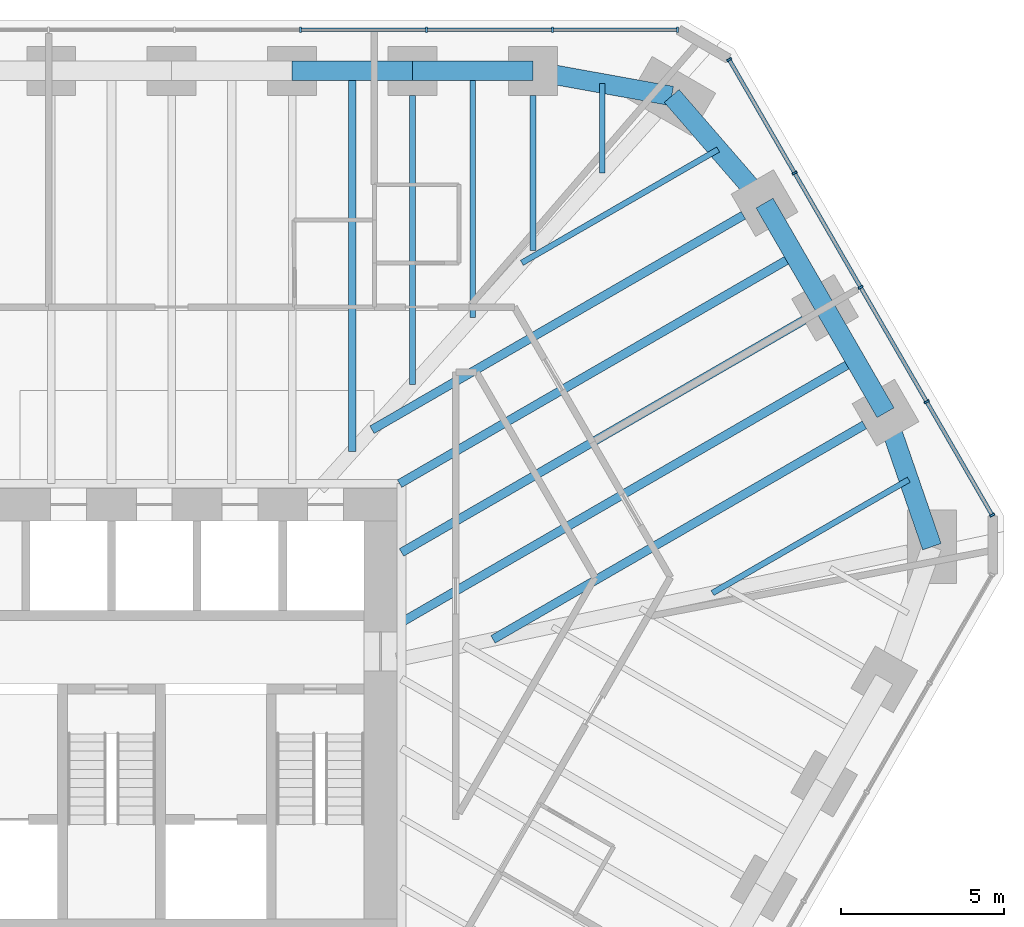
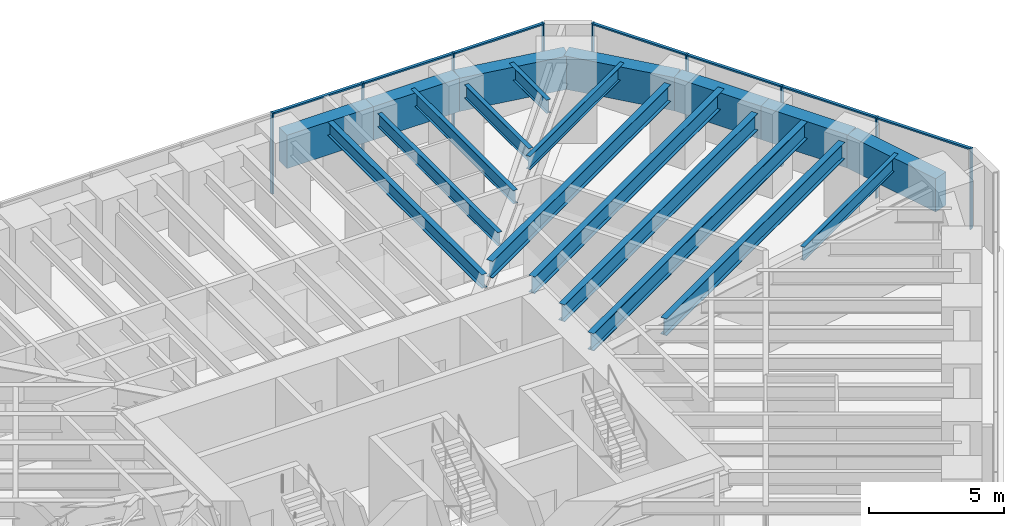
# One storey, part 9 of 16: 19 beams, 16 members, 2 elements without a shape of their own.
"""IFC4 building model written with IfcOpenShell, lengths in metres."""

from ifc_helpers import new_model, si_unit, direction, frame, origin, origin_2d, place, context, subcontext, project, spatial, rectangle, i_section, extrude, material, material_profile, profile_set, type_object, element, aggregate, save


model = new_model("IFC4")

# Units and contexts
model_context = context("Model", 3, precision=1e-05, world=origin(), true_north=direction((0.0, 1.0)))
body_context = subcontext(model_context, "Body", "Model", "MODEL_VIEW")
ifc_project = project(units=[si_unit("LENGTHUNIT", "METRE"), si_unit("AREAUNIT", "SQUARE_METRE"), si_unit("VOLUMEUNIT", "CUBIC_METRE"), si_unit("PLANEANGLEUNIT", "RADIAN"), si_unit("MASSUNIT", "GRAM", prefix="KILO")], contexts=[model_context])

# Site, building, storey
site_placement = place(None, origin())
site = spatial("IfcSite", under=ifc_project, at=site_placement, CompositionType="ELEMENT")
building_placement = place(site_placement, origin())
building = spatial("IfcBuilding", under=site, at=building_placement, Name="Sandreach Pilgrim Tower", CompositionType="ELEMENT")
storey_placement = place(building_placement, frame((0.0, 0.0, 225.0)))
storey = spatial("IfcBuildingStorey", under=building, at=storey_placement, Name="L56", CompositionType="ELEMENT", Elevation=225.0)

# Curtain wall, members
ifc_material_1 = material(Name="Aluminium framed curtain wall", Category="aluminium")
curtain_wall_type = type_object("IfcCurtainWallType", Name="Upper hotel tower curtain wall", PredefinedType="NOTDEFINED", material=ifc_material_1)
curtain_wall_1_placement = place(storey_placement, origin())
curtain_wall_1 = element("IfcCurtainWall", 1, at=curtain_wall_1_placement, inside=storey, type_object=curtain_wall_type, Name="CW-3 L56 N", PredefinedType="NOTDEFINED")
ifc_material_2 = material(Name="Aluminium extrusion", Category="aluminium")
ifc_material_profile_1 = material_profile(ifc_material_2, rectangle(XDim=0.06494140625, YDim=0.159912109375, at=origin_2d()), Name="CW-3M 65X160")
ifc_profile_set_1 = profile_set([ifc_material_profile_1], Name="Aluminium extrusion")
member_type_1 = type_object("IfcMemberType", Name="CW-3 mullion", PredefinedType="MULLION", material=ifc_profile_set_1)
member_1_placement = place(storey_placement, frame((5.796630859375, 21.16015625, 0.0), z_axis=(0.0, 0.0, 1.0), x_axis=(1.0, 0.0, 0.0)))
member_1 = element("IfcMember", 2, at=member_1_placement, type_object=member_type_1, Name="CW-3 mullion 7", PredefinedType="MULLION", context=body_context, shape_type="SweptSolid", body=[
    extrude(rectangle(XDim=0.06494140625, YDim=0.159912109375, at=origin_2d()), origin(), (0.0, 0.0, 1.0), 3.639892578125),
])
member_2_placement = place(storey_placement, frame((9.6611328125, 21.16015625, 0.0), z_axis=(0.0, 0.0, 1.0), x_axis=(1.0, 0.0, 0.0)))
member_2 = element("IfcMember", 3, at=member_2_placement, type_object=member_type_1, Name="CW-3 mullion 8", PredefinedType="MULLION", context=body_context, shape_type="SweptSolid", body=[
    extrude(rectangle(XDim=0.06494140625, YDim=0.159912109375, at=origin_2d()), origin(), (0.0, 0.0, 1.0), 3.639892578125),
])
member_3_placement = place(storey_placement, frame((13.525390625, 21.16015625, 0.0), z_axis=(0.0, 0.0, 1.0), x_axis=(1.0, 0.0, 0.0)))
member_3 = element("IfcMember", 4, at=member_3_placement, type_object=member_type_1, Name="CW-3 mullion 9", PredefinedType="MULLION", context=body_context, shape_type="SweptSolid", body=[
    extrude(rectangle(XDim=0.06494140625, YDim=0.159912109375, at=origin_2d()), origin(), (0.0, 0.0, 1.0), 3.639892578125),
])
member_4_placement = place(storey_placement, frame((17.357421875, 21.16015625, 0.0), z_axis=(0.0, 0.0, 1.0), x_axis=(1.0, 0.0, 0.0)))
member_4 = element("IfcMember", 5, at=member_4_placement, type_object=member_type_1, Name="CW-3 mullion 10", PredefinedType="MULLION", context=body_context, shape_type="SweptSolid", body=[
    extrude(rectangle(XDim=0.06494140625, YDim=0.159912109375, at=origin_2d()), origin(), (0.0, 0.0, 1.0), 3.639892578125),
])

curtain_wall_2_placement = place(storey_placement, origin())
curtain_wall_2 = element("IfcCurtainWall", 6, at=curtain_wall_2_placement, inside=storey, type_object=curtain_wall_type, Name="CW-3 L56 NE", PredefinedType="NOTDEFINED")
member_5_placement = place(storey_placement, frame((18.93896484375, 20.2470703125, 0.0), z_axis=(0.0, 0.0, 1.0), x_axis=(0.5, -0.866025403784, 0.0)))
member_5 = element("IfcMember", 7, at=member_5_placement, type_object=member_type_1, Name="CW-3 mullion 1", PredefinedType="MULLION", context=body_context, shape_type="SweptSolid", body=[
    extrude(rectangle(XDim=0.06494140625, YDim=0.159912109375, at=origin_2d()), origin(), (0.0, 0.0, 1.0), 3.639892578125),
])
member_6_placement = place(storey_placement, frame((20.947021484375, 16.768798828125, 0.0), z_axis=(0.0, 0.0, 1.0), x_axis=(0.5, -0.866025403784, 0.0)))
member_6 = element("IfcMember", 8, at=member_6_placement, type_object=member_type_1, Name="CW-3 mullion 2", PredefinedType="MULLION", context=body_context, shape_type="SweptSolid", body=[
    extrude(rectangle(XDim=0.06494140625, YDim=0.159912109375, at=origin_2d()), origin(), (0.0, 0.0, 1.0), 3.639892578125),
])
member_7_placement = place(storey_placement, frame((22.971435546875, 13.262451171875, 0.0), z_axis=(0.0, 0.0, 1.0), x_axis=(0.5, -0.866025403784, 0.0)))
member_7 = element("IfcMember", 9, at=member_7_placement, type_object=member_type_1, Name="CW-3 mullion 3", PredefinedType="MULLION", context=body_context, shape_type="SweptSolid", body=[
    extrude(rectangle(XDim=0.06494140625, YDim=0.159912109375, at=origin_2d()), origin(), (0.0, 0.0, 1.0), 3.639892578125),
])
member_8_placement = place(storey_placement, frame((24.995849609375, 9.75634765625, 0.0), z_axis=(0.0, 0.0, 1.0), x_axis=(0.5, -0.866025403784, 0.0)))
member_8 = element("IfcMember", 10, at=member_8_placement, type_object=member_type_1, Name="CW-3 mullion 4", PredefinedType="MULLION", context=body_context, shape_type="SweptSolid", body=[
    extrude(rectangle(XDim=0.06494140625, YDim=0.159912109375, at=origin_2d()), origin(), (0.0, 0.0, 1.0), 3.639892578125),
])
member_9_placement = place(storey_placement, frame((27.00390625, 6.278076171875, 0.0), z_axis=(0.0, 0.0, 1.0), x_axis=(0.5, -0.866025403784, 0.0)))
member_9 = element("IfcMember", 11, at=member_9_placement, type_object=member_type_1, Name="CW-3 mullion 5", PredefinedType="MULLION", context=body_context, shape_type="SweptSolid", body=[
    extrude(rectangle(XDim=0.06494140625, YDim=0.159912109375, at=origin_2d()), origin(), (0.0, 0.0, 1.0), 3.639892578125),
])

# Member
ifc_material_3 = material(Name="Aluminium extrusion", Category="aluminium")
ifc_material_profile_2 = material_profile(ifc_material_3, rectangle(XDim=0.1201171875, YDim=0.070068359375, at=origin_2d()), Name="CW-3T 120X70")
ifc_profile_set_2 = profile_set([ifc_material_profile_2], Name="Aluminium extrusion")
member_type_2 = type_object("IfcMemberType", Name="CW-3 transom", PredefinedType="USERDEFINED", material=ifc_profile_set_2)
member_10_placement = place(storey_placement, frame((5.8291015625, 21.16015625, 3.60498046875), z_axis=(1.0, 0.0, 0.0), x_axis=(0.0, 1.0, 0.0)))
member_10 = element("IfcMember", 12, at=member_10_placement, type_object=member_type_2, Name="CW-3 head transom 7", ObjectType="TRANSOM", PredefinedType="USERDEFINED", context=body_context, shape_type="SweptSolid", body=[
    extrude(rectangle(XDim=0.1201171875, YDim=0.070068359375, at=origin_2d()), origin(), (0.0, 0.0, 1.0), 3.799560546875),
])

member_11_placement = place(storey_placement, frame((9.693603515625, 21.16015625, 3.60498046875), z_axis=(1.0, 0.0, 0.0), x_axis=(0.0, 1.0, 0.0)))
member_11 = element("IfcMember", 13, at=member_11_placement, type_object=member_type_2, Name="CW-3 head transom 8", ObjectType="TRANSOM", PredefinedType="USERDEFINED", context=body_context, shape_type="SweptSolid", body=[
    extrude(rectangle(XDim=0.1201171875, YDim=0.070068359375, at=origin_2d()), origin(), (0.0, 0.0, 1.0), 3.79931640625),
])

member_12_placement = place(storey_placement, frame((13.557861328125, 21.16015625, 3.60498046875), z_axis=(1.0, 0.0, 0.0), x_axis=(0.0, 1.0, 0.0)))
member_12 = element("IfcMember", 14, at=member_12_placement, type_object=member_type_2, Name="CW-3 head transom 9", ObjectType="TRANSOM", PredefinedType="USERDEFINED", context=body_context, shape_type="SweptSolid", body=[
    extrude(rectangle(XDim=0.1201171875, YDim=0.070068359375, at=origin_2d()), origin(), (0.0, 0.0, 1.0), 3.76708984375),
])

aggregate(curtain_wall_1, [member_1, member_2, member_3, member_4, member_10, member_11, member_12])

member_13_placement = place(storey_placement, frame((18.955322265625, 20.21875, 3.60498046875), z_axis=(0.499993448556, -0.866029186229, 0.0), x_axis=(0.866029186229, 0.499993448556, 0.0)))
member_13 = element("IfcMember", 15, at=member_13_placement, type_object=member_type_2, Name="CW-3 head transom 1", ObjectType="TRANSOM", PredefinedType="USERDEFINED", context=body_context, shape_type="SweptSolid", body=[
    extrude(rectangle(XDim=0.1201171875, YDim=0.070068359375, at=origin_2d()), origin(), (0.0, 0.0, 1.0), 3.951171875),
])

member_14_placement = place(storey_placement, frame((20.96337890625, 16.74072265625, 3.60498046875), z_axis=(0.499975332564, -0.866039645067, 0.0), x_axis=(0.866039645067, 0.499975332564, 0.0)))
member_14 = element("IfcMember", 16, at=member_14_placement, type_object=member_type_2, Name="CW-3 head transom 2", ObjectType="TRANSOM", PredefinedType="USERDEFINED", context=body_context, shape_type="SweptSolid", body=[
    extrude(rectangle(XDim=0.1201171875, YDim=0.070068359375, at=origin_2d()), origin(), (0.0, 0.0, 1.0), 3.983642578125),
])

member_15_placement = place(storey_placement, frame((22.98779296875, 13.234375, 3.60498046875), z_axis=(0.499975332564, -0.866039645067, 0.0), x_axis=(0.866039645067, 0.499975332564, 0.0)))
member_15 = element("IfcMember", 17, at=member_15_placement, type_object=member_type_2, Name="CW-3 head transom 3", ObjectType="TRANSOM", PredefinedType="USERDEFINED", context=body_context, shape_type="SweptSolid", body=[
    extrude(rectangle(XDim=0.1201171875, YDim=0.070068359375, at=origin_2d()), origin(), (0.0, 0.0, 1.0), 3.983642578125),
])

member_16_placement = place(storey_placement, frame((25.011962890625, 9.728271484375, 3.60498046875), z_axis=(0.499993448556, -0.866029186229, 0.0), x_axis=(0.866029186229, 0.499993448556, 0.0)))
member_16 = element("IfcMember", 18, at=member_16_placement, type_object=member_type_2, Name="CW-3 head transom 4", ObjectType="TRANSOM", PredefinedType="USERDEFINED", context=body_context, shape_type="SweptSolid", body=[
    extrude(rectangle(XDim=0.1201171875, YDim=0.070068359375, at=origin_2d()), origin(), (0.0, 0.0, 1.0), 3.951171875),
])

aggregate(curtain_wall_2, [member_5, member_6, member_7, member_8, member_9, member_13, member_14, member_15, member_16])

# Beams
ifc_material_4 = material(Name="Steel ASTM A992 Grade 50", Category="steel")
ifc_material_profile_3 = material_profile(ifc_material_4, i_section(OverallWidth=0.1787109375, OverallDepth=0.60205078125, WebThickness=0.010986328125, FlangeThickness=0.014892578125, at=origin_2d()), Name="W24X62")
ifc_profile_set_3 = profile_set([ifc_material_profile_3], Name="Steel ASTM A992 Grade 50")
beam_type_1 = type_object("IfcBeamType", Name="Floor beam W24X62", PredefinedType="BEAM", material=ifc_profile_set_3)
beam_1_placement = place(storey_placement, frame((9.231201171875, 19.150146484375, 3.339111328125), z_axis=(0.0, -1.0, 0.0), x_axis=(1.0, 0.0, 0.0)))
element("IfcBeam", 19, at=beam_1_placement, inside=storey, type_object=beam_type_1, Name="BM L56 F07", PredefinedType="BEAM", context=body_context, shape_type="SweptSolid", body=[
    extrude(i_section(OverallWidth=0.1787109375, OverallDepth=0.60205078125, WebThickness=0.010986328125, FlangeThickness=0.014892578125, at=origin_2d()), origin(), (0.0, 0.0, 1.0), 8.86962890625),
])
beam_2_placement = place(storey_placement, frame((12.923828125, 19.150146484375, 3.339111328125), z_axis=(0.0, -1.0, 0.0), x_axis=(1.0, 0.0, 0.0)))
element("IfcBeam", 20, at=beam_2_placement, inside=storey, type_object=beam_type_1, Name="BM L56 F08", PredefinedType="BEAM", context=body_context, shape_type="SweptSolid", body=[
    extrude(i_section(OverallWidth=0.1787109375, OverallDepth=0.60205078125, WebThickness=0.010986328125, FlangeThickness=0.014892578125, at=origin_2d()), origin(), (0.0, 0.0, 1.0), 4.757568359375),
])
beam_3_placement = place(storey_placement, frame((11.077392578125, 19.900146484375, 3.339111328125), z_axis=(0.0, -1.0, 0.0), x_axis=(1.0, 0.0, 0.0)))
element("IfcBeam", 21, at=beam_3_placement, inside=storey, type_object=beam_type_1, Name="BM L56 FM07", PredefinedType="BEAM", context=body_context, shape_type="SweptSolid", body=[
    extrude(i_section(OverallWidth=0.1787109375, OverallDepth=0.60205078125, WebThickness=0.010986328125, FlangeThickness=0.014892578125, at=origin_2d()), origin(), (0.0, 0.0, 1.0), 7.563720703125),
])
beam_4_placement = place(storey_placement, frame((15.05078125, 19.515380859375, 3.339111328125), z_axis=(0.0, -1.0, 0.0), x_axis=(1.0, 0.0, 0.0)))
element("IfcBeam", 22, at=beam_4_placement, inside=storey, type_object=beam_type_1, Name="BM L56 FM08", PredefinedType="BEAM", context=body_context, shape_type="SweptSolid", body=[
    extrude(i_section(OverallWidth=0.1787109375, OverallDepth=0.60205078125, WebThickness=0.010986328125, FlangeThickness=0.014892578125, at=origin_2d()), origin(), (0.0, 0.0, 1.0), 2.75390625),
])
for number, where, z_axis, x_axis, name in (
    (23, (18.6015625, 17.48828125, 3.339111328125), (-0.866029381593, -0.499993110171, 0.0), (0.499993110171, -0.866029381593, 0.0), "BM L56 FM09"),
    (24, (24.446044921875, 7.365234375, 3.339111328125), (-0.866029381593, -0.499993110171, 0.0), (0.499993110171, -0.866029381593, 0.0), "BM L56 FM12"),
):
    element("IfcBeam", number, at=place(storey_placement, frame(where, z_axis=z_axis, x_axis=x_axis)), inside=storey, type_object=beam_type_1, Name=name, PredefinedType="BEAM", context=body_context, shape_type="SweptSolid", body=[
        extrude(i_section(OverallWidth=0.1787109375, OverallDepth=0.60205078125, WebThickness=0.010986328125, FlangeThickness=0.014892578125, at=origin_2d()), origin(), (0.0, 0.0, 1.0), 6.94921875),
    ])
ifc_material_5 = material(Name="Steel ASTM A992 Grade 50", Category="steel")
ifc_material_profile_4 = material_profile(ifc_material_5, i_section(OverallWidth=0.23046875, OverallDepth=0.6171875, WebThickness=0.01318359375, FlangeThickness=0.022216796875, at=origin_2d()), Name="W24X94")
ifc_profile_set_4 = profile_set([ifc_material_profile_4], Name="Steel ASTM A992 Grade 50")
beam_type_2 = type_object("IfcBeamType", Name="Floor beam W24X94", PredefinedType="BEAM", material=ifc_profile_set_4)
beam_5_placement = place(storey_placement, frame((7.385009765625, 19.900146484375, 3.331298828125), z_axis=(0.0, -1.0, 0.0), x_axis=(1.0, 0.0, 0.0)))
element("IfcBeam", 25, at=beam_5_placement, inside=storey, type_object=beam_type_2, Name="BM L56 FM06", PredefinedType="BEAM", context=body_context, shape_type="SweptSolid", body=[
    extrude(i_section(OverallWidth=0.23046875, OverallDepth=0.6171875, WebThickness=0.01318359375, FlangeThickness=0.022216796875, at=origin_2d()), origin(), (0.0, 0.0, 1.0), 11.67578125),
])
ifc_material_6 = material(Name="Steel ASTM A992 Grade 50", Category="steel")
ifc_material_profile_5 = material_profile(ifc_material_6, i_section(OverallWidth=0.2666015625, OverallDepth=0.761962890625, WebThickness=0.014404296875, FlangeThickness=0.021484375, at=origin_2d()), Name="W30X116")
ifc_profile_set_5 = profile_set([ifc_material_profile_5], Name="Steel ASTM A992 Grade 50")
beam_type_3 = type_object("IfcBeamType", Name="Floor beam W30X116", PredefinedType="BEAM", material=ifc_profile_set_5)
beam_6_placement = place(storey_placement, frame((19.37548828125, 15.470947265625, 3.259033203125), z_axis=(-0.866022320763, -0.500005339912, 0.0), x_axis=(0.500005339912, -0.866022320763, 0.0)))
element("IfcBeam", 26, at=beam_6_placement, inside=storey, type_object=beam_type_3, Name="BM L56 F10", PredefinedType="BEAM", context=body_context, shape_type="SweptSolid", body=[
    extrude(i_section(OverallWidth=0.2666015625, OverallDepth=0.761962890625, WebThickness=0.014404296875, FlangeThickness=0.021484375, at=origin_2d()), origin(), (0.0, 0.0, 1.0), 13.148193359375),
])
beam_7_placement = place(storey_placement, frame((21.230712890625, 12.257568359375, 3.259033203125), z_axis=(-0.866024056942, -0.500002332792, 0.0), x_axis=(0.500002332792, -0.866024056942, 0.0)))
element("IfcBeam", 27, at=beam_7_placement, inside=storey, type_object=beam_type_3, Name="BM L56 F11", PredefinedType="BEAM", context=body_context, shape_type="SweptSolid", body=[
    extrude(i_section(OverallWidth=0.2666015625, OverallDepth=0.761962890625, WebThickness=0.014404296875, FlangeThickness=0.021484375, at=origin_2d()), origin(), (0.0, 0.0, 1.0), 14.24609375),
])
beam_8_placement = place(storey_placement, frame((23.0859375, 9.044189453125, 3.259033203125), z_axis=(-0.866026962808, -0.499997299682, 0.0), x_axis=(0.499997299682, -0.866026962808, 0.0)))
element("IfcBeam", 28, at=beam_8_placement, inside=storey, type_object=beam_type_3, Name="BM L56 F12", PredefinedType="BEAM", context=body_context, shape_type="SweptSolid", body=[
    extrude(i_section(OverallWidth=0.2666015625, OverallDepth=0.761962890625, WebThickness=0.014404296875, FlangeThickness=0.021484375, at=origin_2d()), origin(), (0.0, 0.0, 1.0), 13.1484375),
])
beam_9_placement = place(storey_placement, frame((20.95263671875, 14.2392578125, 3.259033203125), z_axis=(-0.866025770688, -0.499999364504, 0.0), x_axis=(0.499999364504, -0.866025770688, 0.0)))
element("IfcBeam", 29, at=beam_9_placement, inside=storey, type_object=beam_type_3, Name="BM L56 FM10", PredefinedType="BEAM", context=body_context, shape_type="SweptSolid", body=[
    extrude(i_section(OverallWidth=0.2666015625, OverallDepth=0.761962890625, WebThickness=0.014404296875, FlangeThickness=0.021484375, at=origin_2d()), origin(), (0.0, 0.0, 1.0), 13.99169921875),
])
ifc_material_7 = material(Name="Steel ASTM A992 Grade 50", Category="steel")
ifc_material_profile_6 = material_profile(ifc_material_7, i_section(OverallWidth=0.2666015625, OverallDepth=0.77978515625, WebThickness=0.0166015625, FlangeThickness=0.030029296875, at=origin_2d()), Name="W30X148")
ifc_profile_set_6 = profile_set([ifc_material_profile_6], Name="Steel ASTM A992 Grade 50")
beam_type_4 = type_object("IfcBeamType", Name="Floor beam W30X148", PredefinedType="BEAM", material=ifc_profile_set_6)
beam_10_placement = place(storey_placement, frame((22.807861328125, 11.02587890625, 3.25), z_axis=(-0.866028701771, -0.499994287676, 0.0), x_axis=(0.499994287676, -0.866028701771, 0.0)))
element("IfcBeam", 30, at=beam_10_placement, inside=storey, type_object=beam_type_4, Name="BM L56 FM11", PredefinedType="BEAM", context=body_context, shape_type="SweptSolid", body=[
    extrude(i_section(OverallWidth=0.2666015625, OverallDepth=0.77978515625, WebThickness=0.0166015625, FlangeThickness=0.030029296875, at=origin_2d()), origin(), (0.0, 0.0, 1.0), 16.067138671875),
])
ifc_material_8 = material(Name="Concrete 10000 psi", Category="concrete")
ifc_material_profile_7 = material_profile(ifc_material_8, rectangle(XDim=0.60009765625, YDim=1.5, at=origin_2d()), Name="RC600X1500")
ifc_profile_set_7 = profile_set([ifc_material_profile_7], Name="Concrete 10000 psi")
beam_type_5 = type_object("IfcBeamType", Name="Spandrel beam RC600X1500", PredefinedType="SPANDREL", material=ifc_profile_set_7)
beam_11_placement = place(storey_placement, frame((5.538818359375, 19.900146484375, 2.889892578125), z_axis=(1.0, 0.0, 0.0), x_axis=(0.0, 1.0, 0.0)))
element("IfcBeam", 31, at=beam_11_placement, inside=storey, type_object=beam_type_5, Name="BM L56 SP06", PredefinedType="SPANDREL", context=body_context, shape_type="SweptSolid", body=[
    extrude(rectangle(XDim=0.60009765625, YDim=1.5, at=origin_2d()), origin(), (0.0, 0.0, 1.0), 3.6923828125),
])
beam_12_placement = place(storey_placement, frame((9.231201171875, 19.900146484375, 2.889892578125), z_axis=(1.0, 0.0, 0.0), x_axis=(0.0, 1.0, 0.0)))
element("IfcBeam", 32, at=beam_12_placement, inside=storey, type_object=beam_type_5, Name="BM L56 SP07", PredefinedType="SPANDREL", context=body_context, shape_type="SweptSolid", body=[
    extrude(rectangle(XDim=0.60009765625, YDim=1.5, at=origin_2d()), origin(), (0.0, 0.0, 1.0), 3.692626953125),
])
beam_13_placement = place(storey_placement, frame((12.923828125, 19.900146484375, 2.889892578125), z_axis=(0.984030345637, -0.178000783326, 0.0), x_axis=(0.178000783326, 0.984030345637, 0.0)))
element("IfcBeam", 33, at=beam_13_placement, inside=storey, type_object=beam_type_5, Name="BM L56 SP08", PredefinedType="SPANDREL", context=body_context, shape_type="SweptSolid", body=[
    extrude(rectangle(XDim=0.60009765625, YDim=1.5, at=origin_2d()), origin(), (0.0, 0.0, 1.0), 4.3232421875),
])
beam_14_placement = place(storey_placement, frame((17.177978515625, 19.130615234375, 2.889892578125), z_axis=(0.65499040715, -0.755637192402, 0.0), x_axis=(0.755637192402, 0.65499040715, 0.0)))
element("IfcBeam", 34, at=beam_14_placement, inside=storey, type_object=beam_type_5, Name="BM L56 SP09", PredefinedType="SPANDREL", context=body_context, shape_type="SweptSolid", body=[
    extrude(rectangle(XDim=0.60009765625, YDim=1.5, at=origin_2d()), origin(), (0.0, 0.0, 1.0), 4.346923828125),
])
for number, where, z_axis, x_axis, name in (
    (35, (20.025146484375, 15.845947265625, 2.889892578125), (0.499995842751, -0.86602780396, 0.0), (0.86602780396, 0.499995842751, 0.0), "BM L56 SP10"),
    (36, (21.88037109375, 12.632568359375, 2.889892578125), (0.499946491854, -0.866056294523, 0.0), (0.866056294523, 0.499946491854, 0.0), "BM L56 SP11"),
):
    element("IfcBeam", number, at=place(storey_placement, frame(where, z_axis=z_axis, x_axis=x_axis)), inside=storey, type_object=beam_type_5, Name=name, PredefinedType="SPANDREL", context=body_context, shape_type="SweptSolid", body=[
        extrude(rectangle(XDim=0.60009765625, YDim=1.5, at=origin_2d()), origin(), (0.0, 0.0, 1.0), 3.71044921875),
    ])
beam_15_placement = place(storey_placement, frame((23.7353515625, 9.419189453125, 2.889892578125), z_axis=(0.326940800053, -0.945044820768, 0.0), x_axis=(0.945044820768, 0.326940800053, 0.0)))
element("IfcBeam", 37, at=beam_15_placement, inside=storey, type_object=beam_type_5, Name="BM L56 SP12", PredefinedType="SPANDREL", context=body_context, shape_type="SweptSolid", body=[
    extrude(rectangle(XDim=0.60009765625, YDim=1.5, at=origin_2d()), origin(), (0.0, 0.0, 1.0), 4.3466796875),
])

save(model, "model.ifc")
